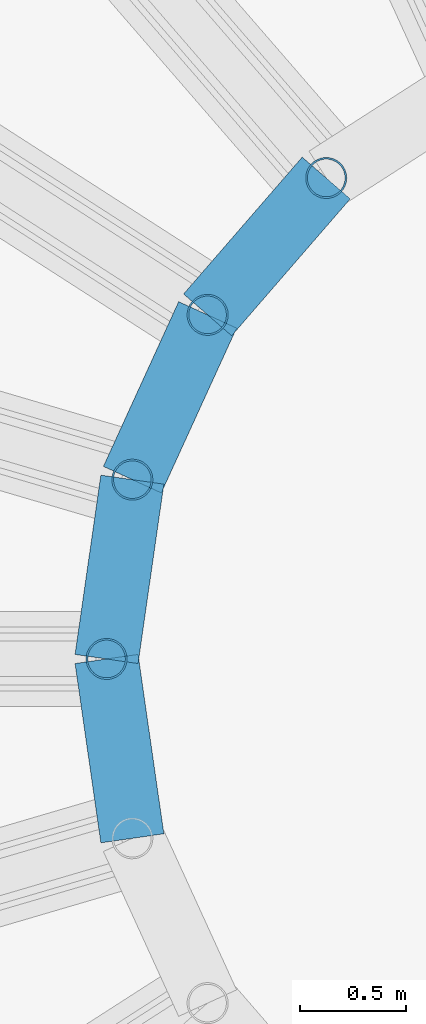
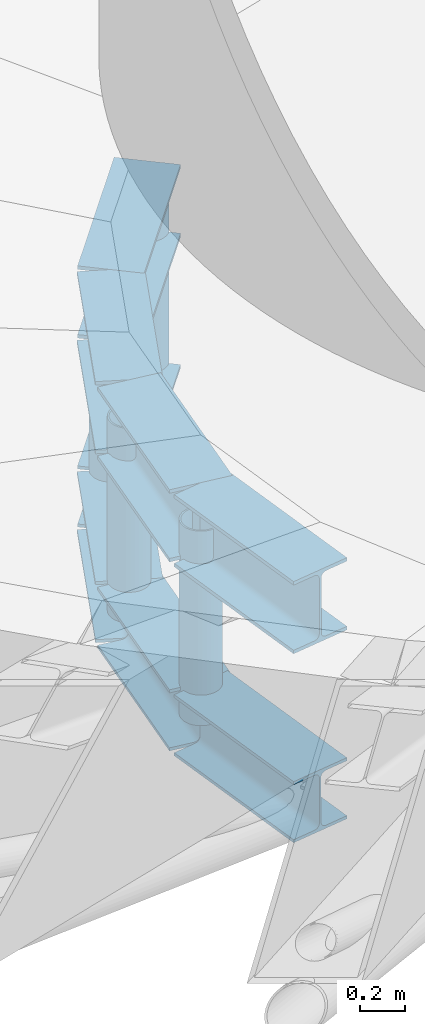
# One storey, part 6 of 69: 8 beams, 4 members.
"""IFC4 building model written with IfcOpenShell, lengths in metres."""

from ifc_helpers import new_model, si_unit, direction, frame, origin, origin_2d, place, context, subcontext, project, spatial, hollow_circle, i_section, extrude, material, material_profile, profile_set, type_object, element, save


model = new_model("IFC4")

# Units and contexts
model_context = context("Model", 3, precision=1e-05, world=origin(), true_north=direction((0.0, 1.0)))
body_context = subcontext(model_context, "Body", "Model", "MODEL_VIEW")
ifc_project = project(units=[si_unit("LENGTHUNIT", "METRE"), si_unit("AREAUNIT", "SQUARE_METRE"), si_unit("VOLUMEUNIT", "CUBIC_METRE"), si_unit("PLANEANGLEUNIT", "RADIAN"), si_unit("MASSUNIT", "GRAM", prefix="KILO")], contexts=[model_context])

# Site, building, storey
site_placement = place(None, origin())
site = spatial("IfcSite", under=ifc_project, at=site_placement, CompositionType="ELEMENT")
building_placement = place(site_placement, origin())
building = spatial("IfcBuilding", under=site, at=building_placement, Name="Pelvatis Terrace Science Centre", CompositionType="ELEMENT")
storey_placement = place(building_placement, frame((0.0, 0.0, 15.0)))
storey = spatial("IfcBuildingStorey", under=building, at=storey_placement, Name="L03", CompositionType="ELEMENT", Elevation=15.0)

# Beams
ifc_material_1 = material(Name="Structural steel S355", Category="steel")
ifc_material_profile_1 = material_profile(ifc_material_1, i_section(OverallWidth=0.300048828125, OverallDepth=0.330078125, WebThickness=0.009521484375, FlangeThickness=0.0166015625, FilletRadius=0.027099609375, at=origin_2d()), Name="HEA 340")
ifc_profile_set_1 = profile_set([ifc_material_profile_1], Name="Structural steel S355")
beam_type_1 = type_object("IfcBeamType", Name="BM-STL-HEA340", PredefinedType="BEAM", material=ifc_profile_set_1)
for number, where, z_axis, x_axis, name in (
    (1, (76.035400390625, 56.8671875, -2.5), (-0.654832554066, -0.755773991439, 0.0), (0.755773991439, -0.654832554066, 0.0), "Bowl roof circumferential bot member 09"),
    (2, (75.476318359375, 56.221923828125, -2.5), (-0.415482674393, -0.909601092391, 0.0), (0.909601092391, -0.415482674393, 0.0), "Bowl roof circumferential bot member 10"),
):
    element("IfcBeam", number, at=place(storey_placement, frame(where, z_axis=z_axis, x_axis=x_axis)), inside=storey, type_object=beam_type_1, Name=name, PredefinedType="BEAM", context=body_context, shape_type="SweptSolid", body=[
        extrude(i_section(OverallWidth=0.300048828125, OverallDepth=0.330078125, WebThickness=0.009521484375, FlangeThickness=0.0166015625, FilletRadius=0.027099609375, at=origin_2d()), origin(), (0.0, 0.0, 1.0), 0.853759765625),
    ])
for number, where, z_axis, x_axis, name in (
    (3, (75.12158203125, 55.4453125, -2.5), (-0.142381938877, -0.989811791949, 0.0), (0.989811791949, -0.142381938877, 0.0), "Bowl roof circumferential bot member 11"),
    (4, (75.0, 54.60009765625, -2.5), (0.142381938877, -0.989811791949, 0.0), (0.989811791949, 0.142381938877, 0.0), "Bowl roof circumferential bot member 12"),
):
    element("IfcBeam", number, at=place(storey_placement, frame(where, z_axis=z_axis, x_axis=x_axis)), inside=storey, type_object=beam_type_1, Name=name, PredefinedType="BEAM", context=body_context, shape_type="SweptSolid", body=[
        extrude(i_section(OverallWidth=0.300048828125, OverallDepth=0.330078125, WebThickness=0.009521484375, FlangeThickness=0.0166015625, FilletRadius=0.027099609375, at=origin_2d()), origin(), (0.0, 0.0, 1.0), 0.85400390625),
    ])
ifc_material_2 = material(Name="Structural steel S355", Category="steel")
ifc_material_profile_2 = material_profile(ifc_material_2, i_section(OverallWidth=0.300048828125, OverallDepth=0.389892578125, WebThickness=0.010986328125, FlangeThickness=0.01904296875, FilletRadius=0.027099609375, at=origin_2d()), Name="HEA 400")
ifc_profile_set_2 = profile_set([ifc_material_profile_2], Name="Structural steel S355")
beam_type_2 = type_object("IfcBeamType", Name="BM-STL-HEA400", PredefinedType="BEAM", material=ifc_profile_set_2)
for number, where, z_axis, x_axis, name in (
    (5, (76.035400390625, 56.8671875, -1.449951171875), (-0.654832554066, -0.755773991439, 0.0), (0.755773991439, -0.654832554066, 0.0), "Bowl roof circumferential top member 09"),
    (6, (75.476318359375, 56.221923828125, -1.449951171875), (-0.415482674393, -0.909601092391, 0.0), (0.909601092391, -0.415482674393, 0.0), "Bowl roof circumferential top member 10"),
):
    element("IfcBeam", number, at=place(storey_placement, frame(where, z_axis=z_axis, x_axis=x_axis)), inside=storey, type_object=beam_type_2, Name=name, PredefinedType="BEAM", context=body_context, shape_type="SweptSolid", body=[
        extrude(i_section(OverallWidth=0.300048828125, OverallDepth=0.389892578125, WebThickness=0.010986328125, FlangeThickness=0.01904296875, FilletRadius=0.027099609375, at=origin_2d()), origin(), (0.0, 0.0, 1.0), 0.853759765625),
    ])
for number, where, z_axis, x_axis, name in (
    (7, (75.12158203125, 55.4453125, -1.449951171875), (-0.142381938877, -0.989811791949, 0.0), (0.989811791949, -0.142381938877, 0.0), "Bowl roof circumferential top member 11"),
    (8, (75.0, 54.60009765625, -1.449951171875), (0.142381938877, -0.989811791949, 0.0), (0.989811791949, 0.142381938877, 0.0), "Bowl roof circumferential top member 12"),
):
    element("IfcBeam", number, at=place(storey_placement, frame(where, z_axis=z_axis, x_axis=x_axis)), inside=storey, type_object=beam_type_2, Name=name, PredefinedType="BEAM", context=body_context, shape_type="SweptSolid", body=[
        extrude(i_section(OverallWidth=0.300048828125, OverallDepth=0.389892578125, WebThickness=0.010986328125, FlangeThickness=0.01904296875, FilletRadius=0.027099609375, at=origin_2d()), origin(), (0.0, 0.0, 1.0), 0.85400390625),
    ])

# Members
ifc_material_3 = material(Name="Structural steel S355", Category="steel")
ifc_material_profile_3 = material_profile(ifc_material_3, hollow_circle(Radius=0.096923828125, WallThickness=0.008056640625, at=origin_2d()), Name="CHS 193.7x8.0")
ifc_profile_set_3 = profile_set([ifc_material_profile_3], Name="Structural steel S355")
member_type = type_object("IfcMemberType", Name="MEM-STR-CHS194", PredefinedType="STRUT", material=ifc_profile_set_3)
for number, where, z_axis, x_axis, name in (
    (9, (76.035400390625, 56.8671875, -2.5), (0.0, 0.0, 1.0), (1.0, 0.0, 0.0), "Bowl truss web strut 09.2"),
    (10, (75.476318359375, 56.221923828125, -2.5), (0.0, 0.0, 1.0), (1.0, 0.0, 0.0), "Bowl truss web strut 10.2"),
    (11, (75.12158203125, 55.4453125, -2.5), (0.0, 0.0, 1.0), (1.0, 0.0, 0.0), "Bowl truss web strut 11.2"),
    (12, (75.0, 54.60009765625, -2.5), (0.0, 0.0, 1.0), (1.0, 0.0, 0.0), "Bowl truss web strut 12.2"),
):
    element("IfcMember", number, at=place(storey_placement, frame(where, z_axis=z_axis, x_axis=x_axis)), inside=storey, type_object=member_type, Name=name, PredefinedType="STRUT", context=body_context, shape_type="SweptSolid", body=[
        extrude(hollow_circle(Radius=0.096923828125, WallThickness=0.008056640625, at=origin_2d()), origin(), (0.0, 0.0, 1.0), 1.050048828125),
    ])

save(model, "model.ifc")
